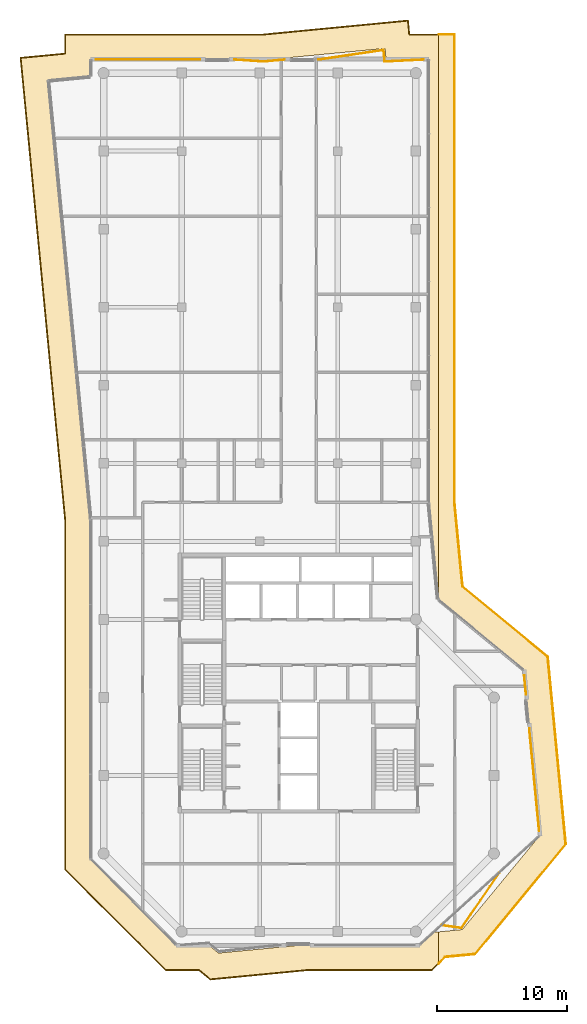
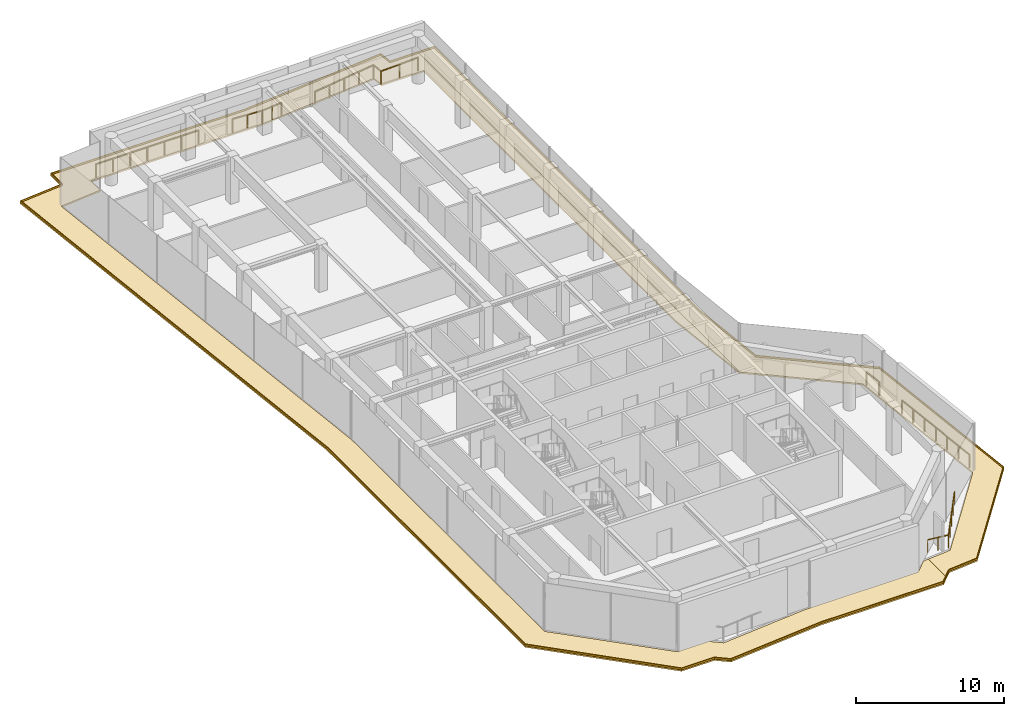
# One storey, part 22 of 22: 6 railings, 4 coverings.
"""IFC4 building model written with IfcOpenShell, lengths in metres."""

from ifc_helpers import new_model, si_unit, direction, frame, origin, origin_2d, place, context, subcontext, project, spatial, polyline, circle, outline, extrude, material, layer, layer_set, type_object, element, save


model = new_model("IFC4")

# Units and contexts
model_context = context("Model", 3, precision=1e-05, world=origin(), true_north=direction((0.0, 1.0)))
body_context = subcontext(model_context, "Body", "Model", "MODEL_VIEW")
ifc_project = project(units=[si_unit("LENGTHUNIT", "METRE"), si_unit("AREAUNIT", "SQUARE_METRE"), si_unit("VOLUMEUNIT", "CUBIC_METRE"), si_unit("PLANEANGLEUNIT", "RADIAN"), si_unit("MASSUNIT", "GRAM", prefix="KILO")], contexts=[model_context])

# Site, building, storey
site_placement = place(None, origin())
site = spatial("IfcSite", under=ifc_project, at=site_placement, CompositionType="ELEMENT")
building_placement = place(site_placement, origin())
building = spatial("IfcBuilding", under=site, at=building_placement, Name="Welwitschia Terrace Campus", CompositionType="ELEMENT")
storey_placement = place(building_placement, frame((0.0, 0.0, 310.39990234375)))
storey = spatial("IfcBuildingStorey", under=building, at=storey_placement, Name="L69", CompositionType="ELEMENT", Elevation=310.39990234375)

# Railings
ifc_material_1 = material(Name="Stainless steel grade 316", Category="steel")
railing_type = type_object("IfcRailingType", Name="Guard 1100", PredefinedType="GUARDRAIL", material=ifc_material_1)
railing_1_placement = place(storey_placement, frame((-0.580078125, 63.030029296875, 0.0)))
element("IfcRailing", 1, at=railing_1_placement, inside=storey, type_object=railing_type, Name="Guard floor edge L69.0", PredefinedType="GUARDRAIL", context=body_context, shape_type="SweptSolid", body=[
    extrude(circle(Radius=0.02392578125, at=origin_2d()), frame((0.0, 0.0, 1.076171875), z_axis=(1.0, 0.0, 0.0), x_axis=(0.0, 1.0, 0.0)), (0.0, 0.0, 1.0), 7.998779296875),
    extrude(circle(Radius=0.02099609375, at=origin_2d()), origin(), (0.0, 0.0, 1.0), 1.052001953125),
    extrude(circle(Radius=0.02099609375, at=origin_2d()), frame((1.3330078125, 0.0, 0.0)), (0.0, 0.0, 1.0), 1.052001953125),
    extrude(circle(Radius=0.02099609375, at=origin_2d()), frame((2.666259765625, 0.0, 0.0)), (0.0, 0.0, 1.0), 1.052001953125),
    extrude(circle(Radius=0.02099609375, at=origin_2d()), frame((3.99951171875, 0.0, 0.0)), (0.0, 0.0, 1.0), 1.052001953125),
    extrude(circle(Radius=0.02099609375, at=origin_2d()), frame((5.33251953125, 0.0, 0.0)), (0.0, 0.0, 1.0), 1.052001953125),
    extrude(circle(Radius=0.02099609375, at=origin_2d()), frame((6.66552734375, 0.0, 0.0)), (0.0, 0.0, 1.0), 1.052001953125),
    extrude(circle(Radius=0.02099609375, at=origin_2d()), frame((7.998779296875, 0.0, 0.0)), (0.0, 0.0, 1.0), 1.052001953125),
])
railing_2_placement = place(storey_placement, frame((10.066162109375, 63.030029296875, 0.0)))
element("IfcRailing", 2, at=railing_2_placement, inside=storey, type_object=railing_type, Name="Guard floor edge L69.2", PredefinedType="GUARDRAIL", context=body_context, shape_type="SweptSolid", body=[
    extrude(circle(Radius=0.02392578125, at=origin_2d()), frame((0.0, 0.0, 1.076171875), z_axis=(0.997780844277, -0.066583682642, 0.0), x_axis=(0.066583682642, 0.997780844277, 0.0)), (0.0, 0.0, 1.0), 2.2548828125),
    extrude(circle(Radius=0.02392578125, at=origin_2d()), frame((2.25, -0.150146484375, 1.076171875), z_axis=(0.995391948155, 0.095889882412, 0.0), x_axis=(-0.095889882412, 0.995391948155, 0.0)), (0.0, 0.0, 1.0), 1.598876953125),
    extrude(circle(Radius=0.02099609375, at=origin_2d()), origin(), (0.0, 0.0, 1.0), 1.052001953125),
    extrude(circle(Radius=0.02099609375, at=origin_2d()), frame((1.125, -0.0751953125, 0.0)), (0.0, 0.0, 1.0), 1.052001953125),
    extrude(circle(Radius=0.02099609375, at=origin_2d()), frame((2.25, -0.150146484375, 0.0)), (0.0, 0.0, 1.0), 1.052001953125),
    extrude(circle(Radius=0.02099609375, at=origin_2d()), frame((3.0458984375, -0.073486328125, 0.0)), (0.0, 0.0, 1.0), 1.052001953125),
    extrude(circle(Radius=0.02099609375, at=origin_2d()), frame((3.841552734375, 0.003173828125, 0.0)), (0.0, 0.0, 1.0), 1.052001953125),
])
railing_3_placement = place(storey_placement, frame((16.527587890625, 63.030029296875, 0.0)))
element("IfcRailing", 3, at=railing_3_placement, inside=storey, type_object=railing_type, Name="Guard floor edge L69.4", PredefinedType="GUARDRAIL", context=body_context, shape_type="SweptSolid", body=[
    extrude(circle(Radius=0.02392578125, at=origin_2d()), frame((0.0, 0.0, 1.076171875), z_axis=(0.989307292943, 0.145846083695, 0.0), x_axis=(-0.145846083695, 0.989307292943, 0.0)), (0.0, 0.0, 1.0), 5.05029296875),
    extrude(circle(Radius=0.02392578125, at=origin_2d()), frame((4.996337890625, 0.736572265625, 1.076171875), z_axis=(0.0959212893, -0.99538892211, 0.0), x_axis=(0.99538892211, 0.0959212893, 0.0)), (0.0, 0.0, 1.0), 0.890869140625),
    extrude(circle(Radius=0.02392578125, at=origin_2d()), frame((5.081787109375, -0.150146484375, 1.076171875), z_axis=(0.998725174502, 0.050477973563, 0.0), x_axis=(-0.050477973563, 0.998725174502, 0.0)), (0.0, 0.0, 1.0), 2.974609375),
    extrude(circle(Radius=0.02099609375, at=origin_2d()), origin(), (0.0, 0.0, 1.0), 1.052001953125),
    extrude(circle(Radius=0.02099609375, at=origin_2d()), frame((1.2490234375, 0.18408203125, 0.0)), (0.0, 0.0, 1.0), 1.052001953125),
    extrude(circle(Radius=0.02099609375, at=origin_2d()), frame((2.498046875, 0.3681640625, 0.0)), (0.0, 0.0, 1.0), 1.052001953125),
    extrude(circle(Radius=0.02099609375, at=origin_2d()), frame((3.747314453125, 0.552490234375, 0.0)), (0.0, 0.0, 1.0), 1.052001953125),
    extrude(circle(Radius=0.02099609375, at=origin_2d()), frame((4.996337890625, 0.736572265625, 0.0)), (0.0, 0.0, 1.0), 1.052001953125),
    extrude(circle(Radius=0.02099609375, at=origin_2d()), frame((5.081787109375, -0.150146484375, 0.0)), (0.0, 0.0, 1.0), 1.052001953125),
    extrude(circle(Radius=0.02099609375, at=origin_2d()), frame((6.567138671875, -0.0751953125, 0.0)), (0.0, 0.0, 1.0), 1.052001953125),
    extrude(circle(Radius=0.02099609375, at=origin_2d()), frame((8.052490234375, 0.0, 0.0)), (0.0, 0.0, 1.0), 1.052001953125),
])
railing_4_placement = place(storey_placement, frame((30.4326171875, 0.5205078125, 0.0)))
element("IfcRailing", 4, at=railing_4_placement, inside=storey, type_object=railing_type, Name="Guard floor edge L69.5", PredefinedType="GUARDRAIL", context=body_context, shape_type="SweptSolid", body=[
    extrude(circle(Radius=0.02392578125, at=origin_2d()), frame((0.0, 0.0, 1.076171875), z_axis=(-0.567102785022, -0.823647030724, 0.0), x_axis=(0.823647030724, -0.567102785022, 0.0)), (0.0, 0.0, 1.0), 5.161865234375),
    extrude(circle(Radius=0.02392578125, at=origin_2d()), frame((-2.92724609375, -4.25146484375, 1.076171875), z_axis=(-0.989772206748, 0.142656856647, 0.0), x_axis=(-0.142656856647, -0.989772206748, 0.0)), (0.0, 0.0, 1.0), 1.521484375),
    extrude(circle(Radius=0.02099609375, at=origin_2d()), origin(), (0.0, 0.0, 1.0), 1.052001953125),
    extrude(circle(Radius=0.02099609375, at=origin_2d()), frame((-0.73193359375, -1.06298828125, 0.0)), (0.0, 0.0, 1.0), 1.052001953125),
    extrude(circle(Radius=0.02099609375, at=origin_2d()), frame((-1.463623046875, -2.125732421875, 0.0)), (0.0, 0.0, 1.0), 1.052001953125),
    extrude(circle(Radius=0.02099609375, at=origin_2d()), frame((-2.1953125, -3.1884765625, 0.0)), (0.0, 0.0, 1.0), 1.052001953125),
    extrude(circle(Radius=0.02099609375, at=origin_2d()), frame((-2.92724609375, -4.25146484375, 0.0)), (0.0, 0.0, 1.0), 1.052001953125),
    extrude(circle(Radius=0.02099609375, at=origin_2d()), frame((-3.68017578125, -4.14306640625, 0.0)), (0.0, 0.0, 1.0), 1.052001953125),
    extrude(circle(Radius=0.02099609375, at=origin_2d()), frame((-4.43310546875, -4.034423828125, 0.0)), (0.0, 0.0, 1.0), 1.052001953125),
])
railing_5_placement = place(storey_placement, frame((32.330078125, 15.7041015625, 0.0)))
element("IfcRailing", 5, at=railing_5_placement, inside=storey, type_object=railing_type, Name="Guard floor edge L69.6", PredefinedType="GUARDRAIL", context=body_context, shape_type="SweptSolid", body=[
    extrude(circle(Radius=0.02392578125, at=origin_2d()), frame((0.0, 0.0, 1.076171875), z_axis=(0.095925014615, -0.99538856311, 0.0), x_axis=(0.99538856311, 0.095925014615, 0.0)), (0.0, 0.0, 1.0), 1.466064453125),
    extrude(circle(Radius=0.02099609375, at=origin_2d()), origin(), (0.0, 0.0, 1.0), 1.052001953125),
    extrude(circle(Radius=0.02099609375, at=origin_2d()), frame((0.140625, -1.459228515625, 0.0)), (0.0, 0.0, 1.0), 1.052001953125),
])
railing_6_placement = place(storey_placement, frame((32.724609375, 11.609619140625, 0.0)))
element("IfcRailing", 6, at=railing_6_placement, inside=storey, type_object=railing_type, Name="Guard floor edge L69.7", PredefinedType="GUARDRAIL", context=body_context, shape_type="SweptSolid", body=[
    extrude(circle(Radius=0.02392578125, at=origin_2d()), frame((0.0, 0.0, 1.076171875), z_axis=(0.09583678089, -0.995397062196, 0.0), x_axis=(0.995397062196, 0.09583678089, 0.0)), (0.0, 0.0, 1.0), 7.89208984375),
    extrude(circle(Radius=0.02099609375, at=origin_2d()), origin(), (0.0, 0.0, 1.0), 1.052001953125),
    extrude(circle(Radius=0.02099609375, at=origin_2d()), frame((0.1259765625, -1.309326171875, 0.0)), (0.0, 0.0, 1.0), 1.052001953125),
    extrude(circle(Radius=0.02099609375, at=origin_2d()), frame((0.252197265625, -2.61865234375, 0.0)), (0.0, 0.0, 1.0), 1.052001953125),
    extrude(circle(Radius=0.02099609375, at=origin_2d()), frame((0.378173828125, -3.927734375, 0.0)), (0.0, 0.0, 1.0), 1.052001953125),
    extrude(circle(Radius=0.02099609375, at=origin_2d()), frame((0.504150390625, -5.237060546875, 0.0)), (0.0, 0.0, 1.0), 1.052001953125),
    extrude(circle(Radius=0.02099609375, at=origin_2d()), frame((0.63037109375, -6.54638671875, 0.0)), (0.0, 0.0, 1.0), 1.052001953125),
    extrude(circle(Radius=0.02099609375, at=origin_2d()), frame((0.75634765625, -7.855712890625, 0.0)), (0.0, 0.0, 1.0), 1.052001953125),
])

# Coverings
ifc_material_2 = material(Name="Bronze anodised aluminium", Category="aluminium")
ifc_layer_1 = layer(ifc_material_2, 0.1201171875)
ifc_layer_set_1 = layer_set([ifc_layer_1], Name="Bronze anodised aluminium")
covering_type_1 = type_object("IfcCoveringType", Name="Sunshade band 2000", PredefinedType="USERDEFINED", material=ifc_layer_set_1)
covering_1_placement = place(storey_placement, frame((0.0, 0.0, -0.25)))
element("IfcCovering", 7, at=covering_1_placement, inside=storey, type_object=covering_type_1, Name="SUNSHADE L69.SW0", ObjectType="SUNSHADE", PredefinedType="USERDEFINED", context=body_context, shape_type="SweptSolid", body=[
    extrude(outline(polyline([(-3.0, 63.534912109375), (-3.0, 65.0), (12.21435546875, 65.0), (23.430908203125, 66.080078125), (23.534912109375, 65.0), (25.75146484375, 65.0), (25.75146484375, 21.4765625), (25.71337890625, 21.5078125), (25.0, 28.917724609375), (25.0, 63.0), (21.71826171875, 63.0), (21.6318359375, 63.8974609375), (12.310546875, 63.0), (-1.0, 63.0), (-1.0, 61.71826171875), (-4.24853515625, 61.405517578125), (-1.0, 27.6689453125), (-1.0, 1.585693359375), (5.585693359375, -5.0), (8.035888671875, -5.0), (8.824462890625, -5.650146484375), (15.57666015625, -5.0), (24.414306640625, -5.0), (25.355712890625, -4.058349609375), (25.75146484375, -4.020263671875), (25.75146484375, -6.4912109375), (25.24267578125, -7.0), (15.6728515625, -7.0), (8.191650390625, -7.720458984375), (7.317626953125, -7.0), (4.75732421875, -7.0), (-3.0, 0.75732421875), (-3.0, 27.57275390625), (-6.430908203125, 63.20458984375), (-3.0, 63.534912109375)])), origin(), (0.0, 0.0, 1.0), 0.1201171875),
])
covering_2_placement = place(storey_placement, frame((0.0, 0.0, -0.25)))
element("IfcCovering", 8, at=covering_2_placement, inside=storey, type_object=covering_type_1, Name="SUNSHADE L69.SE0", ObjectType="SUNSHADE", PredefinedType="USERDEFINED", context=body_context, shape_type="SweptSolid", body=[
    extrude(outline(polyline([(27.0, 65.0), (27.0, 29.013916015625), (27.625, 22.524169921875), (34.17236328125, 17.126708984375), (35.560791015625, 2.708251953125), (28.58251953125, -5.7568359375), (26.26220703125, -5.980224609375), (25.75146484375, -6.4912109375), (25.75146484375, -4.020263671875), (27.56640625, -3.845458984375), (33.490478515625, 3.341064453125), (32.260986328125, 16.110595703125), (25.75146484375, 21.4765625), (25.75146484375, 65.0), (27.0, 65.0)])), origin(), (0.0, 0.0, 1.0), 0.1201171875),
])
ifc_material_3 = material(Name="Bronze anodised aluminium", Category="aluminium")
ifc_layer_2 = layer(ifc_material_3, 0.06005859375)
ifc_layer_set_2 = layer_set([ifc_layer_2], Name="Bronze anodised aluminium")
covering_type_2 = type_object("IfcCoveringType", Name="Sunshade lip 60", PredefinedType="USERDEFINED", material=ifc_layer_set_2)
covering_3_placement = place(storey_placement, frame((0.0, 0.0, -0.1298828125)))
element("IfcCovering", 9, at=covering_3_placement, inside=storey, type_object=covering_type_2, Name="SUNSHADE LIP L69.SW0.0", ObjectType="SUNSHADE", PredefinedType="USERDEFINED", context=body_context, shape_type="SweptSolid", body=[
    extrude(outline(polyline([(-3.0, 65.0), (12.21435546875, 65.0), (23.430908203125, 66.080078125), (23.534912109375, 65.0), (25.75146484375, 65.0), (25.75146484375, 64.93994140625), (23.48046875, 64.93994140625), (23.376953125, 66.0146484375), (12.21728515625, 64.93994140625), (-2.93994140625, 64.93994140625), (-2.93994140625, 63.48046875), (-6.365478515625, 63.150634765625), (-2.93994140625, 27.57568359375), (-2.93994140625, 0.7822265625), (4.7822265625, -6.93994140625), (7.33935546875, -6.93994140625), (8.210693359375, -7.658203125), (15.669921875, -6.93994140625), (25.2177734375, -6.93994140625), (25.75146484375, -6.40625), (25.75146484375, -6.4912109375), (25.24267578125, -7.0), (15.6728515625, -7.0), (8.191650390625, -7.720458984375), (7.317626953125, -7.0), (4.75732421875, -7.0), (-3.0, 0.75732421875), (-3.0, 27.57275390625), (-6.430908203125, 63.20458984375), (-3.0, 63.534912109375), (-3.0, 65.0)])), origin(), (0.0, 0.0, 1.0), 0.1298828125),
])
covering_4_placement = place(storey_placement, frame((0.0, 0.0, -0.1298828125)))
element("IfcCovering", 10, at=covering_4_placement, inside=storey, type_object=covering_type_2, Name="SUNSHADE LIP L69.SE0.0", ObjectType="SUNSHADE", PredefinedType="USERDEFINED", context=body_context, shape_type="SweptSolid", body=[
    extrude(outline(polyline([(27.0, 29.013916015625), (27.625, 22.524169921875), (34.17236328125, 17.126708984375), (35.560791015625, 2.708251953125), (28.58251953125, -5.7568359375), (26.26220703125, -5.980224609375), (25.75146484375, -6.4912109375), (25.75146484375, -6.40625), (26.235107421875, -5.922607421875), (28.552001953125, -5.69970703125), (35.49853515625, 2.727294921875), (34.114990234375, 17.09619140625), (27.5673828125, 22.49365234375), (26.93994140625, 29.010986328125), (26.93994140625, 64.93994140625), (25.75146484375, 64.93994140625), (25.75146484375, 65.0), (27.0, 65.0), (27.0, 29.013916015625)])), origin(), (0.0, 0.0, 1.0), 0.1298828125),
])

save(model, "model.ifc")
